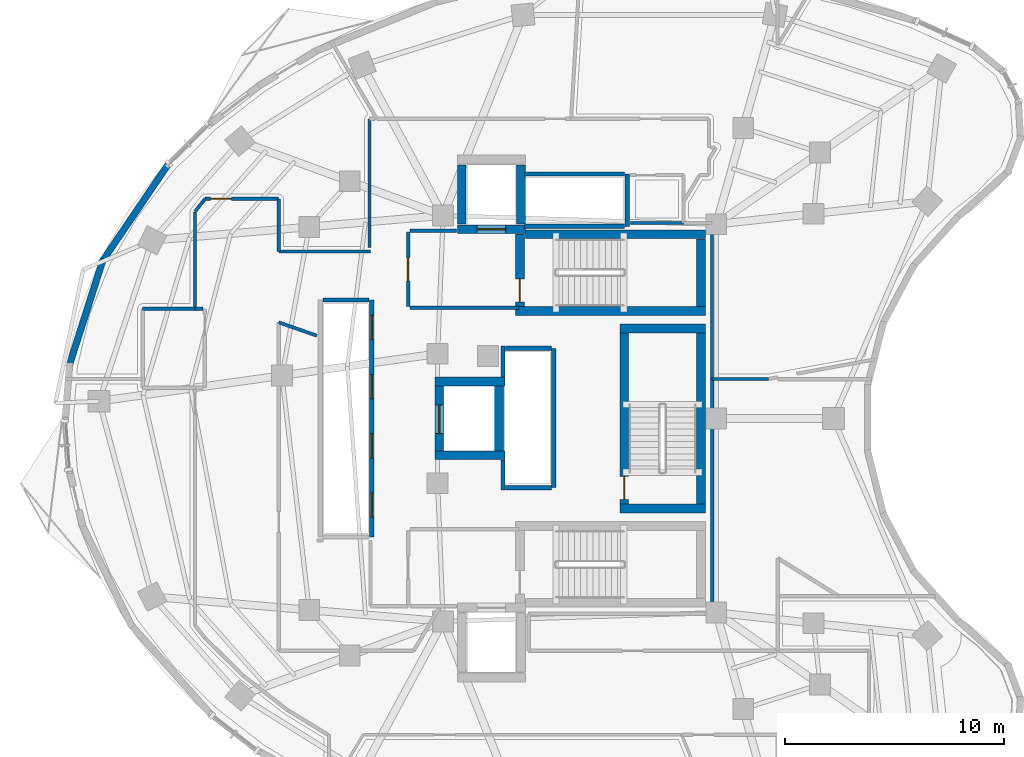
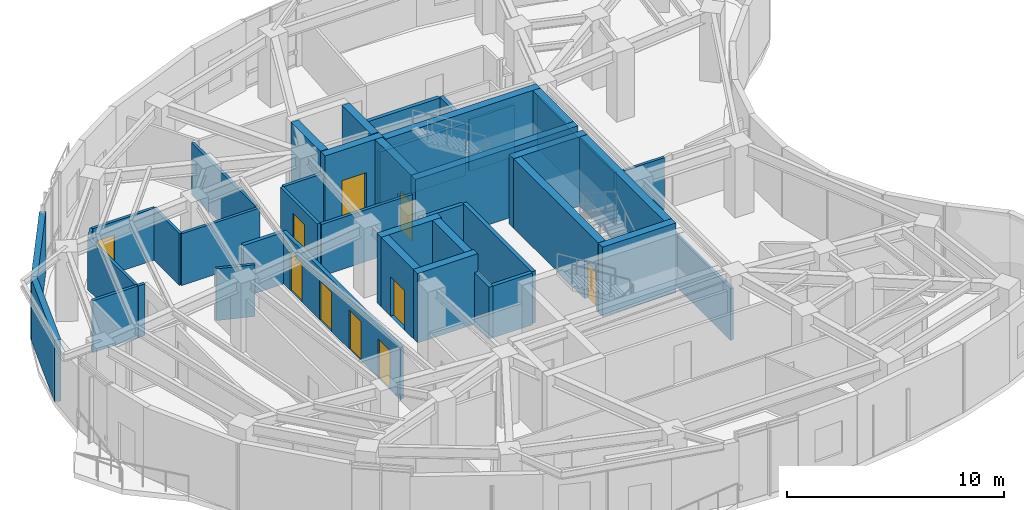
# One storey, part 8 of 13: 43 walls, 10 doors, 10 openings.
"""IFC4 building model written with IfcOpenShell, lengths in metres."""

from ifc_helpers import new_model, si_unit, direction, frame, frame_2d, origin, place, context, subcontext, project, spatial, rectangle, extrude, material, layer, layer_set, type_object, element, fill, save


model = new_model("IFC4")

# Units and contexts
model_context = context("Model", 3, precision=1e-05, world=origin(), true_north=direction((0.0, 1.0)))
body_context = subcontext(model_context, "Body", "Model", "MODEL_VIEW")
ifc_project = project(units=[si_unit("LENGTHUNIT", "METRE"), si_unit("AREAUNIT", "SQUARE_METRE"), si_unit("VOLUMEUNIT", "CUBIC_METRE"), si_unit("PLANEANGLEUNIT", "RADIAN"), si_unit("MASSUNIT", "GRAM", prefix="KILO")], contexts=[model_context])

# Site, building, storey
site_placement = place(None, origin())
site = spatial("IfcSite", under=ifc_project, at=site_placement, CompositionType="ELEMENT")
building_placement = place(site_placement, origin())
building = spatial("IfcBuilding", under=site, at=building_placement, Name="Korentha Bioscience Tower", CompositionType="ELEMENT")
storey_placement = place(building_placement, frame((0.0, 0.0, 192.0)))
storey = spatial("IfcBuildingStorey", under=building, at=storey_placement, Name="L44", CompositionType="ELEMENT", Elevation=192.0)

# Wall, opening, door
ifc_material_1 = material(Name="Double-Stud Acoustic Gypsum", Category="gypsum")
ifc_layer_1 = layer(ifc_material_1, 0.14990234375, Name="Double-Stud Acoustic Gypsum")
ifc_layer_set_1 = layer_set([ifc_layer_1], Name="Double-Stud Acoustic Gypsum (IW-L150)")
wall_type_1 = type_object("IfcWallType", Name="Acoustic Laboratory Partition Wall 150", PredefinedType="PARTITIONING", material=ifc_layer_set_1)
wall_1_placement = place(storey_placement, frame((17.60009765625, 37.010009765625, 0.0), z_axis=(0.0, 0.0, 1.0), x_axis=(-1.0, 0.0, 0.0)))
wall_1 = element("IfcWall", 1, at=wall_1_placement, inside=storey, type_object=wall_type_1, Name="L44 Fluorescence Confocal Microscopy Room 09 Entrance Wall", PredefinedType="PARTITIONING", context=body_context, shape_type="SweptSolid", body=[
    extrude(rectangle(XDim=3.3447265625, YDim=0.14990234375, at=frame_2d((1.67236328125, 0.0))), origin(), (0.0, 0.0, 1.0), 2.909912109375),
])
opening_1_placement = place(wall_1_placement, frame((2.154541015625, 0.0, 0.0)))
opening_1 = element("IfcOpeningElement", 2, at=opening_1_placement, cuts=wall_1, Name="Opening ID-10L", PredefinedType="OPENING", context=body_context, shape_type="SweptSolid", body=[
    extrude(rectangle(XDim=0.949951171875, YDim=2.14990234375, at=frame_2d((0.47509765625, 1.074951171875))), frame((0.0, 0.08984375, 0.0), z_axis=(0.0, -1.0, 0.0), x_axis=(1.0, 0.0, 0.0)), (0.0, 0.0, 1.0), 0.1796875),
])
ifc_material_2 = material(Name="Phenolic Laminate Timber Core", Category="wood")
door_type_1 = type_object("IfcDoorType", Name="Laboratory Single Leaf Door 950x2150 Left", OperationType="SINGLE_SWING_LEFT", PredefinedType="DOOR", material=ifc_material_2)
door_1_placement = place(opening_1_placement, origin())
door_1 = element("IfcDoor", 3, at=door_1_placement, inside=storey, type_object=door_type_1, Name="L44 Fluorescence Confocal Microscopy Room 09 Door", OperationType="SINGLE_SWING_LEFT", OverallHeight=2.14990234375, OverallWidth=0.949951171875, PredefinedType="DOOR", context=body_context, shape_type="SweptSolid", body=[
    extrude(rectangle(XDim=0.949951171875, YDim=2.14990234375, at=frame_2d((0.47509765625, 1.074951171875))), frame((0.0, 0.02490234375, 0.0), z_axis=(0.0, -1.0, 0.0), x_axis=(1.0, 0.0, 0.0)), (0.0, 0.0, 1.0), 0.050048828125),
])
fill(opening_1, door_1)

# Walls
wall_2_placement = place(storey_placement, frame((17.610107421875, 31.37890625, 0.0), z_axis=(0.0, 0.0, 1.0), x_axis=(0.943806424697, -0.330498763539, 0.0)))
element("IfcWall", 4, at=wall_2_placement, inside=storey, type_object=wall_type_1, Name="L44 Interior Partition 030", PredefinedType="PARTITIONING", context=body_context, shape_type="SweptSolid", body=[
    extrude(rectangle(XDim=1.832763671875, YDim=0.14990234375, at=frame_2d((0.91650390625, 0.0))), origin(), (0.0, 0.0, 1.0), 2.909912109375),
])
wall_3_placement = place(storey_placement, frame((21.739990234375, 40.64990234375, 0.0), z_axis=(0.0, 0.0, 1.0), x_axis=(0.0, -1.0, 0.0)))
element("IfcWall", 5, at=wall_3_placement, inside=storey, type_object=wall_type_1, Name="L44 Interior Partition 063", PredefinedType="PARTITIONING", context=body_context, shape_type="SweptSolid", body=[
    extrude(rectangle(XDim=5.849853515625, YDim=0.14990234375, at=frame_2d((2.9248046875, 0.0))), origin(), (0.0, 0.0, 1.0), 2.909912109375),
])
wall_4_placement = place(storey_placement, frame((21.7900390625, 34.610107421875, 0.0), z_axis=(0.0, 0.0, 1.0), x_axis=(-1.0, 0.0, 0.0)))
element("IfcWall", 6, at=wall_4_placement, inside=storey, type_object=wall_type_1, Name="L44 Interior Partition 064", PredefinedType="PARTITIONING", context=body_context, shape_type="SweptSolid", body=[
    extrude(rectangle(XDim=4.179931640625, YDim=0.14990234375, at=frame_2d((2.08984375, 0.0))), origin(), (0.0, 0.0, 1.0), 2.909912109375),
])
wall_5_placement = place(storey_placement, frame((17.610107421875, 34.610107421875, 0.0), z_axis=(0.0, 0.0, 1.0), x_axis=(0.0, 1.0, 0.0)))
element("IfcWall", 7, at=wall_5_placement, inside=storey, type_object=wall_type_1, Name="L44 Interior Partition 065", PredefinedType="PARTITIONING", context=body_context, shape_type="SweptSolid", body=[
    extrude(rectangle(XDim=2.389892578125, YDim=0.14990234375, at=frame_2d((1.19482421875, 0.0))), origin(), (0.0, 0.0, 1.0), 2.909912109375),
])
wall_6_placement = place(storey_placement, frame((14.24755859375, 37.006103515625, 0.0), z_axis=(0.0, 0.0, 1.0), x_axis=(-0.616041172792, -0.787713954063, 0.0)))
element("IfcWall", 8, at=wall_6_placement, inside=storey, type_object=wall_type_1, Name="L44 Interior Partition 066", PredefinedType="PARTITIONING", context=body_context, shape_type="SweptSolid", body=[
    extrude(rectangle(XDim=0.739501953125, YDim=0.14990234375, at=frame_2d((0.36962890625, 0.0))), origin(), (0.0, 0.0, 1.0), 2.909912109375),
])
wall_7_placement = place(storey_placement, frame((13.7900390625, 36.41748046875, 0.0), z_axis=(0.0, 0.0, 1.0), x_axis=(0.0, -1.0, 0.0)))
element("IfcWall", 9, at=wall_7_placement, inside=storey, type_object=wall_type_1, Name="L44 Interior Partition 067", PredefinedType="PARTITIONING", context=body_context, shape_type="SweptSolid", body=[
    extrude(rectangle(XDim=4.407470703125, YDim=0.14990234375, at=frame_2d((2.20361328125, 0.0))), origin(), (0.0, 0.0, 1.0), 2.909912109375),
])
ifc_material_3 = material(Name="Insulated Aluminium Honeycomb Panel", Category="aluminium")
ifc_layer_2 = layer(ifc_material_3, 0.139892578125, Name="Insulated Aluminium Honeycomb Panel")
ifc_layer_set_2 = layer_set([ifc_layer_2], Name="Insulated Aluminium Honeycomb Panel (IW-F60)")
wall_type_2 = type_object("IfcWallType", Name="Cleanroom Flush Metal Panel Partition 140", PredefinedType="PARTITIONING", material=ifc_layer_set_2)
wall_8_placement = place(storey_placement, frame((39.927490234375, 28.802001953125, 0.0), z_axis=(0.0, 0.0, 1.0), x_axis=(-1.0, 0.0, 0.0)))
element("IfcWall", 10, at=wall_8_placement, inside=storey, type_object=wall_type_2, Name="L44 Interior Partition 051", PredefinedType="PARTITIONING", context=body_context, shape_type="SweptSolid", body=[
    extrude(rectangle(XDim=2.5673828125, YDim=0.139892578125, at=frame_2d((1.28369140625, 0.0))), origin(), (0.0, 0.0, 1.0), 2.909912109375),
])
wall_9_placement = place(storey_placement, frame((37.360107421875, 28.802001953125, 0.0), z_axis=(0.0, 0.0, 1.0), x_axis=(0.0, 1.0, 0.0)))
element("IfcWall", 11, at=wall_9_placement, inside=storey, type_object=wall_type_2, Name="L44 Interior Partition 052", PredefinedType="PARTITIONING", context=body_context, shape_type="SweptSolid", body=[
    extrude(rectangle(XDim=7.097900390625, YDim=0.139892578125, at=frame_2d((3.548828125, 0.0))), origin(), (0.0, 0.0, 1.0), 2.909912109375),
])

# Wall, opening, door
ifc_material_4 = material(Name="Gypsum-Clad Steel Stud", Category="steel")
ifc_layer_3 = layer(ifc_material_4, 0.159912109375, Name="Gypsum-Clad Steel Stud")
ifc_layer_set_3 = layer_set([ifc_layer_3], Name="Gypsum-Clad Steel Stud (IW-C160)")
wall_type_3 = type_object("IfcWallType", Name="Fire-Rated Corridor Partition Wall 160", PredefinedType="PARTITIONING", material=ifc_layer_set_3)
wall_10_placement = place(storey_placement, frame((23.5, 32.10009765625, 0.0), z_axis=(0.0, 0.0, 1.0), x_axis=(0.0, 1.0, 0.0)))
wall_10 = element("IfcWall", 12, at=wall_10_placement, inside=storey, type_object=wall_type_3, Name="L44 FFLN-CW Rated Enclosure Wall", PredefinedType="PARTITIONING", context=body_context, shape_type="SweptSolid", body=[
    extrude(rectangle(XDim=3.39990234375, YDim=0.159912109375, at=frame_2d((1.699951171875, 0.0))), origin(), (0.0, 0.0, 1.0), 2.909912109375),
])
opening_2_placement = place(wall_10_placement, frame((1.175048828125, 0.0, 0.0)))
opening_2 = element("IfcOpeningElement", 13, at=opening_2_placement, cuts=wall_10, Name="Opening FD-90L", PredefinedType="OPENING", context=body_context, shape_type="SweptSolid", body=[
    extrude(rectangle(XDim=1.050048828125, YDim=2.14990234375, at=frame_2d((0.52490234375, 1.074951171875))), frame((0.0, 0.0947265625, 0.0), z_axis=(0.0, -1.0, 0.0), x_axis=(1.0, 0.0, 0.0)), (0.0, 0.0, 1.0), 0.189697265625),
])
ifc_material_5 = material(Name="Powder-Coated Fire-Rated Steel", Category="steel")
door_type_2 = type_object("IfcDoorType", Name="Stairwell Fire Exit Door 1050x2150 Left", OperationType="SINGLE_SWING_LEFT", PredefinedType="DOOR", material=ifc_material_5)
door_2_placement = place(opening_2_placement, origin())
door_2 = element("IfcDoor", 14, at=door_2_placement, inside=storey, type_object=door_type_2, Name="L44 North Firefighting Lobby Door", OperationType="SINGLE_SWING_LEFT", OverallHeight=2.14990234375, OverallWidth=1.050048828125, PredefinedType="DOOR", context=body_context, shape_type="SweptSolid", body=[
    extrude(rectangle(XDim=1.050048828125, YDim=2.14990234375, at=frame_2d((0.52490234375, 1.074951171875))), frame((0.0, 0.02490234375, 0.0), z_axis=(0.0, -1.0, 0.0), x_axis=(1.0, 0.0, 0.0)), (0.0, 0.0, 1.0), 0.050048828125),
])
fill(opening_2, door_2)

# Walls
wall_11_placement = place(storey_placement, frame((23.580078125, 32.050048828125, 0.0), z_axis=(0.0, 0.0, 1.0), x_axis=(1.0, 0.0, 0.0)))
element("IfcWall", 15, at=wall_11_placement, inside=storey, type_object=wall_type_3, Name="L44 Firefighting Lobby Return Wall FFLN-S", PredefinedType="PARTITIONING", context=body_context, shape_type="SweptSolid", body=[
    extrude(rectangle(XDim=4.969970703125, YDim=0.159912109375, at=frame_2d((2.48486328125, 0.0))), origin(), (0.0, 0.0, 1.0), 2.909912109375),
])
wall_12_placement = place(storey_placement, frame((23.580078125, 35.550048828125, 0.0), z_axis=(0.0, 0.0, 1.0), x_axis=(1.0, 0.0, 0.0)))
element("IfcWall", 16, at=wall_12_placement, inside=storey, type_object=wall_type_3, Name="L44 Firefighting Lobby Return Wall FFLN-N", PredefinedType="PARTITIONING", context=body_context, shape_type="SweptSolid", body=[
    extrude(rectangle(XDim=2.119873046875, YDim=0.159912109375, at=frame_2d((1.06005859375, 0.0))), origin(), (0.0, 0.0, 1.0), 2.909912109375),
])
wall_13_placement = place(storey_placement, frame((13.800048828125, 31.989990234375, 0.0), z_axis=(0.0, 0.0, 1.0), x_axis=(1.0, 0.0, 0.0)))
element("IfcWall", 17, at=wall_13_placement, inside=storey, type_object=wall_type_3, Name="L44 Interior Partition 014", PredefinedType="PARTITIONING", context=body_context, shape_type="SweptSolid", body=[
    extrude(rectangle(XDim=0.35693359375, YDim=0.159912109375, at=frame_2d((0.178466796875, 0.0))), origin(), (0.0, 0.0, 1.0), 2.909912109375),
])
wall_14_placement = place(storey_placement, frame((11.39990234375, 32.0, 0.0), z_axis=(0.0, 0.0, 1.0), x_axis=(1.0, 0.0, 0.0)))
element("IfcWall", 18, at=wall_14_placement, inside=storey, type_object=wall_type_3, Name="L44 Interior Partition 018", PredefinedType="PARTITIONING", context=body_context, shape_type="SweptSolid", body=[
    extrude(rectangle(XDim=2.39013671875, YDim=0.159912109375, at=frame_2d((1.195068359375, 0.0))), origin(), (0.0, 0.0, 1.0), 2.909912109375),
])
wall_15_placement = place(storey_placement, frame((37.360107421875, 18.10009765625, 0.0), z_axis=(0.0, 0.0, 1.0), x_axis=(0.0, 1.0, 0.0)))
element("IfcWall", 19, at=wall_15_placement, inside=storey, type_object=wall_type_3, Name="L44 Interior Partition 040", PredefinedType="PARTITIONING", context=body_context, shape_type="SweptSolid", body=[
    extrude(rectangle(XDim=10.693603515625, YDim=0.159912109375, at=frame_2d((5.3466796875, 0.0))), origin(), (0.0, 0.0, 1.0), 2.909912109375),
])
ifc_material_6 = material(Name="Honed Limestone Precast Concrete C40", Category="masonry")
ifc_layer_4 = layer(ifc_material_6, 0.300048828125, Name="Honed Limestone Precast Concrete C40")
ifc_layer_set_4 = layer_set([ifc_layer_4], Name="Honed Limestone Precast Concrete C40 (EW-ST300)")
wall_type_4 = type_object("IfcWallType", Name="Honed Limestone Cavity Spandrel Wall 300", PredefinedType="STANDARD", material=ifc_layer_set_4)
wall_16_placement = place(storey_placement, frame((12.580078125, 38.6005859375, 0.0), z_axis=(0.0, 0.0, 1.0), x_axis=(-0.561663900064, -0.827365495634, 0.0)))
element("IfcWall", 20, at=wall_16_placement, inside=storey, type_object=wall_type_4, Name="L44 Limestone Perimeter Closure Wall 14", PredefinedType="STANDARD", context=body_context, shape_type="SweptSolid", body=[
    extrude(rectangle(XDim=5.437744140625, YDim=0.300048828125, at=frame_2d((2.71875, 0.0))), origin(), (0.0, 0.0, 1.0), 3.469970703125),
])
wall_17_placement = place(storey_placement, frame((9.612548828125, 34.280029296875, 0.0), z_axis=(0.0, 0.0, 1.0), x_axis=(-0.303930984078, -0.952694052106, 0.0)))
element("IfcWall", 21, at=wall_17_placement, inside=storey, type_object=wall_type_4, Name="L44 Limestone Perimeter Closure Wall 16", PredefinedType="STANDARD", context=body_context, shape_type="SweptSolid", body=[
    extrude(rectangle(XDim=5.18115234375, YDim=0.300048828125, at=frame_2d((2.590576171875, 0.0))), origin(), (0.0, 0.0, 1.0), 3.469970703125),
])

# Wall, openings, doors
ifc_material_7 = material(Name="Autoclaved Aerated Concrete Block C25", Category="concrete")
ifc_layer_5 = layer(ifc_material_7, 0.199951171875, Name="Autoclaved Aerated Concrete Block C25")
ifc_layer_set_5 = layer_set([ifc_layer_5], Name="Autoclaved Aerated Concrete Block C25 (IW-S200)")
wall_type_5 = type_object("IfcWallType", Name="Lift and Riser Shaft Enclosure Wall 200", PredefinedType="PARTITIONING", material=ifc_layer_set_5)
wall_18_placement = place(storey_placement, frame((21.85009765625, 21.60009765625, 0.0), z_axis=(0.0, 0.0, 1.0), x_axis=(0.0, 1.0, 0.0)))
wall_18 = element("IfcWall", 22, at=wall_18_placement, inside=storey, type_object=wall_type_5, Name="L44 Lift Bank MID Shaft Wall +X", PredefinedType="PARTITIONING", context=body_context, shape_type="SweptSolid", body=[
    extrude(rectangle(XDim=10.7998046875, YDim=0.199951171875, at=frame_2d((5.39990234375, 0.0))), origin(), (0.0, 0.0, 1.0), 2.909912109375),
])
opening_3_placement = place(wall_18_placement, frame((0.89990234375, 0.0, 0.0)))
opening_3 = element("IfcOpeningElement", 23, at=opening_3_placement, cuts=wall_18, Name="Opening LD-11", PredefinedType="OPENING", context=body_context, shape_type="SweptSolid", body=[
    extrude(rectangle(XDim=1.10009765625, YDim=2.199951171875, at=frame_2d((0.550048828125, 1.10009765625))), frame((0.0, 0.11474609375, 0.0), z_axis=(0.0, -1.0, 0.0), x_axis=(1.0, 0.0, 0.0)), (0.0, 0.0, 1.0), 0.229736328125),
])
opening_4_placement = place(wall_18_placement, frame((3.60009765625, 0.0, 0.0)))
opening_4 = element("IfcOpeningElement", 24, at=opening_4_placement, cuts=wall_18, Name="Opening LD-11", PredefinedType="OPENING", context=body_context, shape_type="SweptSolid", body=[
    extrude(rectangle(XDim=1.10009765625, YDim=2.199951171875, at=frame_2d((0.550048828125, 1.10009765625))), frame((0.0, 0.11474609375, 0.0), z_axis=(0.0, -1.0, 0.0), x_axis=(1.0, 0.0, 0.0)), (0.0, 0.0, 1.0), 0.229736328125),
])
opening_5_placement = place(wall_18_placement, frame((6.300048828125, 0.0, 0.0)))
opening_5 = element("IfcOpeningElement", 25, at=opening_5_placement, cuts=wall_18, Name="Opening LD-11", PredefinedType="OPENING", context=body_context, shape_type="SweptSolid", body=[
    extrude(rectangle(XDim=1.10009765625, YDim=2.199951171875, at=frame_2d((0.550048828125, 1.10009765625))), frame((0.0, 0.11474609375, 0.0), z_axis=(0.0, -1.0, 0.0), x_axis=(1.0, 0.0, 0.0)), (0.0, 0.0, 1.0), 0.229736328125),
])
opening_6_placement = place(wall_18_placement, frame((9.0, 0.0, 0.0)))
opening_6 = element("IfcOpeningElement", 26, at=opening_6_placement, cuts=wall_18, Name="Opening LD-11", PredefinedType="OPENING", context=body_context, shape_type="SweptSolid", body=[
    extrude(rectangle(XDim=1.10009765625, YDim=2.199951171875, at=frame_2d((0.550048828125, 1.10009765625))), frame((0.0, 0.11474609375, 0.0), z_axis=(0.0, -1.0, 0.0), x_axis=(1.0, 0.0, 0.0)), (0.0, 0.0, 1.0), 0.229736328125),
])
ifc_material_8 = material(Name="Brushed Stainless Steel 304", Category="steel")
door_type_3 = type_object("IfcDoorType", Name="Passenger Lift Sliding Landing Door 1100x2200", OperationType="DOUBLE_DOOR_SLIDING", PredefinedType="DOOR", material=ifc_material_8)
door_3_placement = place(opening_3_placement, origin())
door_3 = element("IfcDoor", 27, at=door_3_placement, inside=storey, type_object=door_type_3, Name="L44 PL-M1 Sliding Lift Landing Door", OperationType="DOUBLE_DOOR_SLIDING", OverallHeight=2.199951171875, OverallWidth=1.10009765625, PredefinedType="DOOR", context=body_context, shape_type="SweptSolid", body=[
    extrude(rectangle(XDim=1.10009765625, YDim=2.199951171875, at=frame_2d((0.550048828125, 1.10009765625))), frame((0.0, 0.02490234375, 0.0), z_axis=(0.0, -1.0, 0.0), x_axis=(1.0, 0.0, 0.0)), (0.0, 0.0, 1.0), 0.050048828125),
])
fill(opening_3, door_3)
door_4_placement = place(opening_4_placement, origin())
door_4 = element("IfcDoor", 28, at=door_4_placement, inside=storey, type_object=door_type_3, Name="L44 PL-M2 Sliding Lift Landing Door", OperationType="DOUBLE_DOOR_SLIDING", OverallHeight=2.199951171875, OverallWidth=1.10009765625, PredefinedType="DOOR", context=body_context, shape_type="SweptSolid", body=[
    extrude(rectangle(XDim=1.10009765625, YDim=2.199951171875, at=frame_2d((0.550048828125, 1.10009765625))), frame((0.0, 0.02490234375, 0.0), z_axis=(0.0, -1.0, 0.0), x_axis=(1.0, 0.0, 0.0)), (0.0, 0.0, 1.0), 0.050048828125),
])
fill(opening_4, door_4)
door_5_placement = place(opening_5_placement, origin())
door_5 = element("IfcDoor", 29, at=door_5_placement, inside=storey, type_object=door_type_3, Name="L44 PL-M3 Sliding Lift Landing Door", OperationType="DOUBLE_DOOR_SLIDING", OverallHeight=2.199951171875, OverallWidth=1.10009765625, PredefinedType="DOOR", context=body_context, shape_type="SweptSolid", body=[
    extrude(rectangle(XDim=1.10009765625, YDim=2.199951171875, at=frame_2d((0.550048828125, 1.10009765625))), frame((0.0, 0.02490234375, 0.0), z_axis=(0.0, -1.0, 0.0), x_axis=(1.0, 0.0, 0.0)), (0.0, 0.0, 1.0), 0.050048828125),
])
fill(opening_5, door_5)
door_6_placement = place(opening_6_placement, origin())
door_6 = element("IfcDoor", 30, at=door_6_placement, inside=storey, type_object=door_type_3, Name="L44 PL-M4 Sliding Lift Landing Door", OperationType="DOUBLE_DOOR_SLIDING", OverallHeight=2.199951171875, OverallWidth=1.10009765625, PredefinedType="DOOR", context=body_context, shape_type="SweptSolid", body=[
    extrude(rectangle(XDim=1.10009765625, YDim=2.199951171875, at=frame_2d((0.550048828125, 1.10009765625))), frame((0.0, 0.02490234375, 0.0), z_axis=(0.0, -1.0, 0.0), x_axis=(1.0, 0.0, 0.0)), (0.0, 0.0, 1.0), 0.050048828125),
])
fill(opening_6, door_6)

# Walls
wall_19_placement = place(storey_placement, frame((19.6201171875, 32.39990234375, 0.0), z_axis=(0.0, 0.0, 1.0), x_axis=(1.0, 0.0, 0.0)))
element("IfcWall", 31, at=wall_19_placement, inside=storey, type_object=wall_type_5, Name="L44 Lift Bank MID Shaft Wall +Y", PredefinedType="PARTITIONING", context=body_context, shape_type="SweptSolid", body=[
    extrude(rectangle(XDim=2.10986328125, YDim=0.199951171875, at=frame_2d((1.054931640625, 0.0))), origin(), (0.0, 0.0, 1.0), 2.909912109375),
])
wall_20_placement = place(storey_placement, frame((27.830078125, 23.75, 0.0), z_axis=(0.0, 0.0, 1.0), x_axis=(0.0, 1.0, 0.0)))
element("IfcWall", 32, at=wall_20_placement, inside=storey, type_object=wall_type_5, Name="L44 Lift Bank HIGH Shaft Wall -XS", PredefinedType="PARTITIONING", context=body_context, shape_type="SweptSolid", body=[
    extrude(rectangle(XDim=1.365966796875, YDim=0.199951171875, at=frame_2d((0.68310546875, 0.0))), origin(), (0.0, 0.0, 1.0), 2.909912109375),
])
wall_21_placement = place(storey_placement, frame((27.830078125, 28.884033203125, 0.0), z_axis=(0.0, 0.0, 1.0), x_axis=(0.0, 1.0, 0.0)))
element("IfcWall", 33, at=wall_21_placement, inside=storey, type_object=wall_type_5, Name="L44 Lift Bank HIGH Shaft Wall -XN", PredefinedType="PARTITIONING", context=body_context, shape_type="SweptSolid", body=[
    extrude(rectangle(XDim=1.416015625, YDim=0.199951171875, at=frame_2d((0.7080078125, 0.0))), origin(), (0.0, 0.0, 1.0), 2.909912109375),
])
wall_22_placement = place(storey_placement, frame((30.14990234375, 23.85009765625, 0.0), z_axis=(0.0, 0.0, 1.0), x_axis=(0.0, 1.0, 0.0)))
element("IfcWall", 34, at=wall_22_placement, inside=storey, type_object=wall_type_5, Name="L44 Lift Bank HIGH Shaft Wall +X", PredefinedType="PARTITIONING", context=body_context, shape_type="SweptSolid", body=[
    extrude(rectangle(XDim=6.349853515625, YDim=0.199951171875, at=frame_2d((3.1748046875, 0.0))), origin(), (0.0, 0.0, 1.0), 2.909912109375),
])
for number, where, z_axis, x_axis, name in (
    (35, (27.93408203125, 23.85009765625, 0.0), (0.0, 0.0, 1.0), (1.0, 0.0, 0.0), "L44 Lift Bank HIGH Shaft Wall -Y"),
    (36, (27.93408203125, 30.199951171875, 0.0), (0.0, 0.0, 1.0), (1.0, 0.0, 0.0), "L44 Lift Bank HIGH Shaft Wall +Y"),
):
    element("IfcWall", number, at=place(storey_placement, frame(where, z_axis=z_axis, x_axis=x_axis)), inside=storey, type_object=wall_type_5, Name=name, PredefinedType="PARTITIONING", context=body_context, shape_type="SweptSolid", body=[
        extrude(rectangle(XDim=2.095947265625, YDim=0.199951171875, at=frame_2d((1.0478515625, 0.0))), origin(), (0.0, 0.0, 1.0), 2.909912109375),
    ])
wall_23_placement = place(storey_placement, frame((33.489990234375, 35.760009765625, 0.0), z_axis=(0.0, 0.0, 1.0), x_axis=(0.0, 1.0, 0.0)))
element("IfcWall", 37, at=wall_23_placement, inside=storey, type_object=wall_type_5, Name="L44 Lift Bank OBS Shaft Wall +X", PredefinedType="PARTITIONING", context=body_context, shape_type="SweptSolid", body=[
    extrude(rectangle(XDim=2.3798828125, YDim=0.199951171875, at=frame_2d((1.18994140625, 0.0))), origin(), (0.0, 0.0, 1.0), 2.909912109375),
])
for number, where, z_axis, x_axis, name in (
    (38, (28.800048828125, 35.760009765625, 0.0), (0.0, 0.0, 1.0), (1.0, 0.0, 0.0), "L44 Lift Bank OBS Shaft Wall -Y"),
    (39, (28.800048828125, 38.139892578125, 0.0), (0.0, 0.0, 1.0), (1.0, 0.0, 0.0), "L44 Lift Bank OBS Shaft Wall +Y"),
):
    element("IfcWall", number, at=place(storey_placement, frame(where, z_axis=z_axis, x_axis=x_axis)), inside=storey, type_object=wall_type_5, Name=name, PredefinedType="PARTITIONING", context=body_context, shape_type="SweptSolid", body=[
        extrude(rectangle(XDim=4.570068359375, YDim=0.199951171875, at=frame_2d((2.28515625, 0.0))), origin(), (0.0, 0.0, 1.0), 2.909912109375),
    ])
ifc_material_9 = material(Name="Concrete C65", Category="concrete")
ifc_layer_6 = layer(ifc_material_9, 0.39990234375, Name="Concrete C65")
ifc_layer_set_6 = layer_set([ifc_layer_6], Name="Concrete C65 (CW-C65)")
wall_type_6 = type_object("IfcWallType", Name="Mid-Rise Core Shear Wall 400", PredefinedType="SHEAR", material=ifc_layer_set_6)
wall_24_placement = place(storey_placement, frame((28.85205078125, 35.39990234375, 0.0), z_axis=(0.0, 0.0, 1.0), x_axis=(1.0, 0.0, 0.0)))
element("IfcWall", 40, at=wall_24_placement, inside=storey, type_object=wall_type_6, Name="L44 Core Shear Wall ST1-N", PredefinedType="SHEAR", context=body_context, shape_type="SweptSolid", body=[
    extrude(rectangle(XDim=8.197998046875, YDim=0.39990234375, at=frame_2d((4.09912109375, 0.0))), origin(), (0.0, 0.0, 1.0), 3.89990234375),
])
wall_25_placement = place(storey_placement, frame((28.39990234375, 31.89990234375, 0.0), z_axis=(0.0, 0.0, 1.0), x_axis=(1.0, 0.0, 0.0)))
element("IfcWall", 41, at=wall_25_placement, inside=storey, type_object=wall_type_6, Name="L44 Core Shear Wall ST1-S", PredefinedType="SHEAR", context=body_context, shape_type="SweptSolid", body=[
    extrude(rectangle(XDim=8.650146484375, YDim=0.39990234375, at=frame_2d((4.3251953125, 0.0))), origin(), (0.0, 0.0, 1.0), 3.89990234375),
])
wall_26_placement = place(storey_placement, frame((36.85009765625, 32.110107421875, 0.0), z_axis=(0.0, 0.0, 1.0), x_axis=(0.0, 1.0, 0.0)))
element("IfcWall", 42, at=wall_26_placement, inside=storey, type_object=wall_type_6, Name="L44 Core Shear Wall ST1-E", PredefinedType="SHEAR", context=body_context, shape_type="SweptSolid", body=[
    extrude(rectangle(XDim=3.079833984375, YDim=0.39990234375, at=frame_2d((1.5400390625, 0.0))), origin(), (0.0, 0.0, 1.0), 3.89990234375),
])

# Wall, opening, door
wall_27_placement = place(storey_placement, frame((28.60009765625, 32.110107421875, 0.0), z_axis=(0.0, 0.0, 1.0), x_axis=(0.0, 1.0, 0.0)))
wall_27 = element("IfcWall", 43, at=wall_27_placement, inside=storey, type_object=wall_type_6, Name="L44 Core Shear Wall ST1-W", PredefinedType="SHEAR", context=body_context, shape_type="SweptSolid", body=[
    extrude(rectangle(XDim=3.307861328125, YDim=0.39990234375, at=frame_2d((1.65380859375, 0.0))), origin(), (0.0, 0.0, 1.0), 3.89990234375),
])
opening_7_placement = place(wall_27_placement, frame((0.199951171875, 0.0, 0.0)))
opening_7 = element("IfcOpeningElement", 44, at=opening_7_placement, cuts=wall_27, Name="Opening FD-90L", PredefinedType="OPENING", context=body_context, shape_type="SweptSolid", body=[
    extrude(rectangle(XDim=1.050048828125, YDim=2.14990234375, at=frame_2d((0.52490234375, 1.074951171875))), frame((0.0, 0.21484375, 0.0), z_axis=(0.0, -1.0, 0.0), x_axis=(1.0, 0.0, 0.0)), (0.0, 0.0, 1.0), 0.4296875),
])
door_7_placement = place(opening_7_placement, origin())
door_7 = element("IfcDoor", 45, at=door_7_placement, inside=storey, type_object=door_type_2, Name="L44 ST-1 Fire Exit Stair Door", OperationType="SINGLE_SWING_LEFT", OverallHeight=2.14990234375, OverallWidth=1.050048828125, PredefinedType="DOOR", context=body_context, shape_type="SweptSolid", body=[
    extrude(rectangle(XDim=1.050048828125, YDim=2.14990234375, at=frame_2d((0.52490234375, 1.074951171875))), frame((0.0, 0.02490234375, 0.0), z_axis=(0.0, -1.0, 0.0), x_axis=(1.0, 0.0, 0.0)), (0.0, 0.0, 1.0), 0.050048828125),
])
fill(opening_7, door_7)

# Walls
for number, where, z_axis, x_axis, name in (
    (46, (33.14990234375, 31.10009765625, 0.0), (0.0, 0.0, 1.0), (1.0, 0.0, 0.0), "L44 Core Shear Wall ST3-N"),
    (47, (33.14990234375, 22.89990234375, 0.0), (0.0, 0.0, 1.0), (1.0, 0.0, 0.0), "L44 Core Shear Wall ST3-S"),
):
    element("IfcWall", number, at=place(storey_placement, frame(where, z_axis=z_axis, x_axis=x_axis)), inside=storey, type_object=wall_type_6, Name=name, PredefinedType="SHEAR", context=body_context, shape_type="SweptSolid", body=[
        extrude(rectangle(XDim=3.900146484375, YDim=0.39990234375, at=frame_2d((1.9501953125, 0.0))), origin(), (0.0, 0.0, 1.0), 3.89990234375),
    ])
wall_28_placement = place(storey_placement, frame((36.85009765625, 23.110107421875, 0.0), z_axis=(0.0, 0.0, 1.0), x_axis=(0.0, 1.0, 0.0)))
element("IfcWall", 48, at=wall_28_placement, inside=storey, type_object=wall_type_6, Name="L44 Core Shear Wall ST3-E", PredefinedType="SHEAR", context=body_context, shape_type="SweptSolid", body=[
    extrude(rectangle(XDim=7.77978515625, YDim=0.39990234375, at=frame_2d((3.889892578125, 0.0))), origin(), (0.0, 0.0, 1.0), 3.89990234375),
])

# Wall, opening, door
wall_29_placement = place(storey_placement, frame((33.35009765625, 23.110107421875, 0.0), z_axis=(0.0, 0.0, 1.0), x_axis=(0.0, 1.0, 0.0)))
wall_29 = element("IfcWall", 49, at=wall_29_placement, inside=storey, type_object=wall_type_6, Name="L44 Core Shear Wall ST3-W", PredefinedType="SHEAR", context=body_context, shape_type="SweptSolid", body=[
    extrude(rectangle(XDim=7.77978515625, YDim=0.39990234375, at=frame_2d((3.889892578125, 0.0))), origin(), (0.0, 0.0, 1.0), 3.89990234375),
])
opening_8_placement = place(wall_29_placement, frame((0.199951171875, 0.0, 0.0)))
opening_8 = element("IfcOpeningElement", 50, at=opening_8_placement, cuts=wall_29, Name="Opening FD-90L", PredefinedType="OPENING", context=body_context, shape_type="SweptSolid", body=[
    extrude(rectangle(XDim=1.050048828125, YDim=2.14990234375, at=frame_2d((0.52490234375, 1.074951171875))), frame((0.0, 0.21484375, 0.0), z_axis=(0.0, -1.0, 0.0), x_axis=(1.0, 0.0, 0.0)), (0.0, 0.0, 1.0), 0.4296875),
])
door_8_placement = place(opening_8_placement, origin())
door_8 = element("IfcDoor", 51, at=door_8_placement, inside=storey, type_object=door_type_2, Name="L44 ST-3 Fire Exit Stair Door", OperationType="SINGLE_SWING_LEFT", OverallHeight=2.14990234375, OverallWidth=1.050048828125, PredefinedType="DOOR", context=body_context, shape_type="SweptSolid", body=[
    extrude(rectangle(XDim=1.050048828125, YDim=2.14990234375, at=frame_2d((0.52490234375, 1.074951171875))), frame((0.0, 0.02490234375, 0.0), z_axis=(0.0, -1.0, 0.0), x_axis=(1.0, 0.0, 0.0)), (0.0, 0.0, 1.0), 0.050048828125),
])
fill(opening_8, door_8)

wall_30_placement = place(storey_placement, frame((25.75, 35.6201171875, 0.0), z_axis=(0.0, 0.0, 1.0), x_axis=(1.0, 0.0, 0.0)))
wall_30 = element("IfcWall", 52, at=wall_30_placement, inside=storey, type_object=wall_type_6, Name="L44 Core Shear Wall FFL2-S", PredefinedType="SHEAR", context=body_context, shape_type="SweptSolid", body=[
    extrude(rectangle(XDim=3.10009765625, YDim=0.39990234375, at=frame_2d((1.550048828125, 0.0))), origin(), (0.0, 0.0, 1.0), 3.89990234375),
])
opening_9_placement = place(wall_30_placement, frame((0.89990234375, 0.0, 0.0)))
opening_9 = element("IfcOpeningElement", 53, at=opening_9_placement, cuts=wall_30, Name="Opening LD-13", PredefinedType="OPENING", context=body_context, shape_type="SweptSolid", body=[
    extrude(rectangle(XDim=1.300048828125, YDim=2.199951171875, at=frame_2d((0.64990234375, 1.10009765625))), frame((0.0, 0.21484375, 0.0), z_axis=(0.0, -1.0, 0.0), x_axis=(1.0, 0.0, 0.0)), (0.0, 0.0, 1.0), 0.4296875),
])
ifc_material_10 = material(Name="Brushed Stainless Steel 316", Category="steel")
door_type_4 = type_object("IfcDoorType", Name="Service & Firefighting Lift Landing Door 1300x2300", OperationType="DOUBLE_DOOR_SLIDING", PredefinedType="DOOR", material=ifc_material_10)
door_9_placement = place(opening_9_placement, origin())
door_9 = element("IfcDoor", 54, at=door_9_placement, inside=storey, type_object=door_type_4, Name="L44 FFL-2 Sliding Lift Landing Door", OperationType="DOUBLE_DOOR_SLIDING", OverallHeight=2.199951171875, OverallWidth=1.300048828125, PredefinedType="DOOR", context=body_context, shape_type="SweptSolid", body=[
    extrude(rectangle(XDim=1.300048828125, YDim=2.199951171875, at=frame_2d((0.64990234375, 1.10009765625))), frame((0.0, 0.02490234375, 0.0), z_axis=(0.0, -1.0, 0.0), x_axis=(1.0, 0.0, 0.0)), (0.0, 0.0, 1.0), 0.050048828125),
])
fill(opening_9, door_9)

# Walls
for number, where, z_axis, x_axis, name in (
    (55, (25.949951171875, 35.860107421875, 0.0), (0.0, 0.0, 1.0), (0.0, 1.0, 0.0), "L44 Core Shear Wall FFL2-W"),
    (56, (28.64990234375, 35.860107421875, 0.0), (0.0, 0.0, 1.0), (0.0, 1.0, 0.0), "L44 Core Shear Wall FFL2-E"),
):
    element("IfcWall", number, at=place(storey_placement, frame(where, z_axis=z_axis, x_axis=x_axis)), inside=storey, type_object=wall_type_6, Name=name, PredefinedType="SHEAR", context=body_context, shape_type="SweptSolid", body=[
        extrude(rectangle(XDim=2.699951171875, YDim=0.39990234375, at=frame_2d((1.35009765625, 0.0))), origin(), (0.0, 0.0, 1.0), 3.89990234375),
    ])
for number, where, z_axis, x_axis, name in (
    (57, (24.719970703125, 28.679931640625, 0.0), (0.0, 0.0, 1.0), (1.0, 0.0, 0.0), "L44 Core Shear Wall SVL1-N"),
    (58, (24.719970703125, 25.320068359375, 0.0), (0.0, 0.0, 1.0), (1.0, 0.0, 0.0), "L44 Core Shear Wall SVL1-S"),
):
    element("IfcWall", number, at=place(storey_placement, frame(where, z_axis=z_axis, x_axis=x_axis)), inside=storey, type_object=wall_type_6, Name=name, PredefinedType="SHEAR", context=body_context, shape_type="SweptSolid", body=[
        extrude(rectangle(XDim=3.2099609375, YDim=0.39990234375, at=frame_2d((1.60498046875, 0.0))), origin(), (0.0, 0.0, 1.0), 3.89990234375),
    ])

# Wall, opening, door
wall_31_placement = place(storey_placement, frame((24.919921875, 25.52197265625, 0.0), z_axis=(0.0, 0.0, 1.0), x_axis=(0.0, 1.0, 0.0)))
wall_31 = element("IfcWall", 59, at=wall_31_placement, inside=storey, type_object=wall_type_6, Name="L44 Core Shear Wall SVL1-W", PredefinedType="SHEAR", context=body_context, shape_type="SweptSolid", body=[
    extrude(rectangle(XDim=2.9560546875, YDim=0.39990234375, at=frame_2d((1.47802734375, 0.0))), origin(), (0.0, 0.0, 1.0), 3.89990234375),
])
opening_10_placement = place(wall_31_placement, frame((0.7900390625, 0.0, 0.0)))
opening_10 = element("IfcOpeningElement", 60, at=opening_10_placement, cuts=wall_31, Name="Opening LD-13", PredefinedType="OPENING", context=body_context, shape_type="SweptSolid", body=[
    extrude(rectangle(XDim=1.300048828125, YDim=2.199951171875, at=frame_2d((0.64990234375, 1.10009765625))), frame((0.0, 0.21484375, 0.0), z_axis=(0.0, -1.0, 0.0), x_axis=(1.0, 0.0, 0.0)), (0.0, 0.0, 1.0), 0.4296875),
])
door_10_placement = place(opening_10_placement, origin())
door_10 = element("IfcDoor", 61, at=door_10_placement, inside=storey, type_object=door_type_4, Name="L44 SVL-1 Sliding Lift Landing Door", OperationType="DOUBLE_DOOR_SLIDING", OverallHeight=2.199951171875, OverallWidth=1.300048828125, PredefinedType="DOOR", context=body_context, shape_type="SweptSolid", body=[
    extrude(rectangle(XDim=1.300048828125, YDim=2.199951171875, at=frame_2d((0.64990234375, 1.10009765625))), frame((0.0, 0.02490234375, 0.0), z_axis=(0.0, -1.0, 0.0), x_axis=(1.0, 0.0, 0.0)), (0.0, 0.0, 1.0), 0.050048828125),
])
fill(opening_10, door_10)

# Walls
wall_32_placement = place(storey_placement, frame((27.64990234375, 25.52197265625, 0.0), z_axis=(0.0, 0.0, 1.0), x_axis=(0.0, 1.0, 0.0)))
element("IfcWall", 62, at=wall_32_placement, inside=storey, type_object=wall_type_6, Name="L44 Core Shear Wall SVL1-E", PredefinedType="SHEAR", context=body_context, shape_type="SweptSolid", body=[
    extrude(rectangle(XDim=2.9560546875, YDim=0.39990234375, at=frame_2d((1.47802734375, 0.0))), origin(), (0.0, 0.0, 1.0), 3.89990234375),
])
ifc_material_11 = material(Name="Cement-Board Steel Stud", Category="steel")
ifc_layer_7 = layer(ifc_material_11, 0.1298828125, Name="Cement-Board Steel Stud")
ifc_layer_set_7 = layer_set([ifc_layer_7], Name="Cement-Board Steel Stud (IW-W130)")
wall_type_7 = type_object("IfcWallType", Name="Wet-Area Moisture-Resistant Partition 130", PredefinedType="PARTITIONING", material=ifc_layer_set_7)
wall_33_placement = place(storey_placement, frame((36.050048828125, 35.909912109375, 0.0), z_axis=(0.0, 0.0, 1.0), x_axis=(-1.0, 0.0, 0.0)))
element("IfcWall", 63, at=wall_33_placement, inside=storey, type_object=wall_type_7, Name="L44 Interior Partition 012", PredefinedType="PARTITIONING", context=body_context, shape_type="SweptSolid", body=[
    extrude(rectangle(XDim=2.400146484375, YDim=0.1298828125, at=frame_2d((1.2001953125, 0.0))), origin(), (0.0, 0.0, 1.0), 2.909912109375),
])

save(model, "model.ifc")
